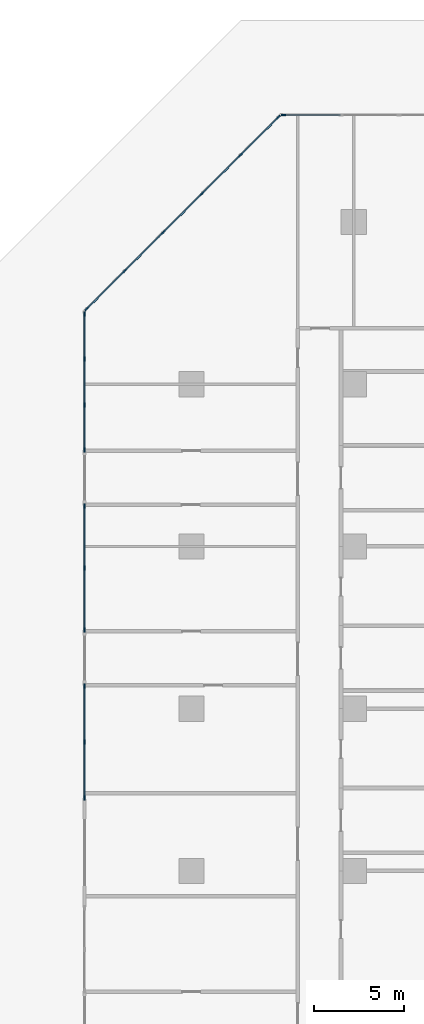
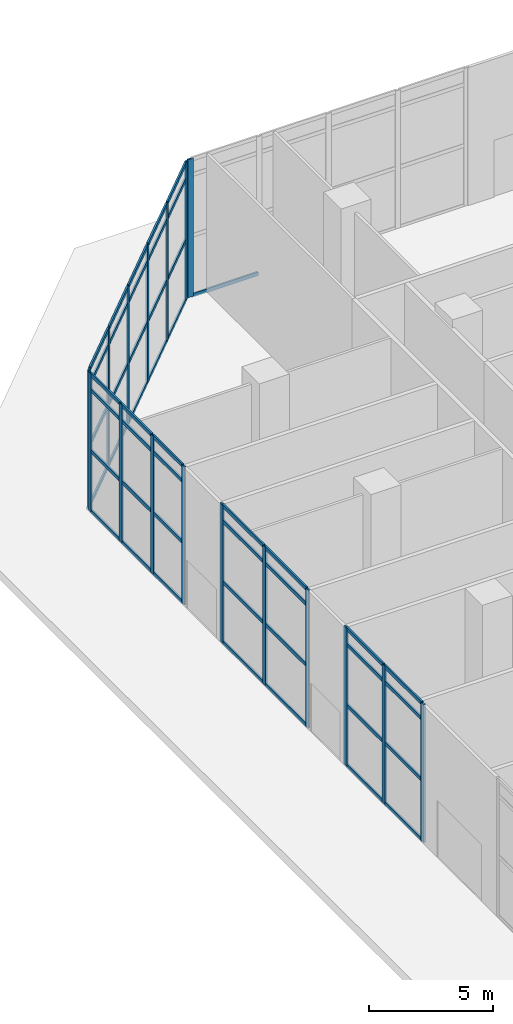
# One storey, part 8 of 34: 66 members, 5 elements without a shape of their own.
"""IFC4 building model written with IfcOpenShell, lengths in metres."""

from ifc_helpers import new_model, si_unit, direction, frame, origin, origin_2d, place, context, subcontext, project, spatial, rectangle, extrude, material, layer, layer_set, material_profile, profile_set, type_object, element, aggregate, save


model = new_model("IFC4")

# Units and contexts
model_context = context("Model", 3, precision=1e-05, world=origin(), true_north=direction((0.0, 1.0)))
body_context = subcontext(model_context, "Body", "Model", "MODEL_VIEW")
ifc_project = project(units=[si_unit("LENGTHUNIT", "METRE"), si_unit("AREAUNIT", "SQUARE_METRE"), si_unit("VOLUMEUNIT", "CUBIC_METRE"), si_unit("PLANEANGLEUNIT", "RADIAN"), si_unit("MASSUNIT", "GRAM", prefix="KILO")], contexts=[model_context])

# Site, building, storey
site_placement = place(None, origin())
site = spatial("IfcSite", under=ifc_project, at=site_placement, CompositionType="ELEMENT")
building_placement = place(site_placement, origin())
building = spatial("IfcBuilding", under=site, at=building_placement, Name="Chenar Terraces", CompositionType="ELEMENT")
storey_placement = place(building_placement, origin())
storey = spatial("IfcBuildingStorey", under=building, at=storey_placement, Name="L00", CompositionType="ELEMENT", Elevation=0.0)

# Curtain wall, member
ifc_material_1 = material(Name="Aluminium framed glazing", Category="aluminium")
ifc_layer = layer(ifc_material_1, 0.14990234375)
ifc_layer_set = layer_set([ifc_layer], Name="Aluminium framed glazing")
curtain_wall_type = type_object("IfcCurtainWallType", Name="Lobby curtain wall", PredefinedType="NOTDEFINED", material=ifc_layer_set)
placement = place(storey_placement, origin())
curtain_wall_1 = element("IfcCurtainWall", 1, at=placement, inside=storey, type_object=curtain_wall_type, Name="Lobby curtain wall", PredefinedType="NOTDEFINED")
ifc_material_2 = material(Name="Aluminium", Category="aluminium")
ifc_material_profile_1 = material_profile(ifc_material_2, rectangle(XDim=0.080078125, YDim=0.25, at=origin_2d()), Name="Lobby glazing mullion 80 x 250")
ifc_profile_set_1 = profile_set([ifc_material_profile_1], Name="Aluminium")
member_type_1 = type_object("IfcMemberType", Name="Lobby glazing mullion 80 x 250", PredefinedType="MULLION", material=ifc_profile_set_1)
member_1_placement = place(storey_placement, frame((-3.90185546875, 77.925048828125, 0.0), z_axis=(0.0, 0.0, 1.0), x_axis=(0.0, -1.0, 0.0)))
member_1 = element("IfcMember", 2, at=member_1_placement, type_object=member_type_1, Name="CW6-02b0 mullion 5", PredefinedType="MULLION", context=body_context, shape_type="SweptSolid", body=[
    extrude(rectangle(XDim=0.080078125, YDim=0.25, at=origin_2d()), origin(), (0.0, 0.0, 1.0), 6.800048828125),
])

# Curtain wall, members
curtain_wall_2 = element("IfcCurtainWall", 3, at=placement, inside=storey, type_object=curtain_wall_type, Name="Lobby curtain wall", PredefinedType="NOTDEFINED")
member_2_placement = place(storey_placement, frame((-4.173095703125, 77.8125, 0.0), z_axis=(0.0, 0.0, 1.0), x_axis=(0.707106781187, -0.707106781187, 0.0)))
member_2 = element("IfcMember", 4, at=member_2_placement, type_object=member_type_1, Name="CW6-030 mullion 1", PredefinedType="MULLION", context=body_context, shape_type="SweptSolid", body=[
    extrude(rectangle(XDim=0.080078125, YDim=0.25, at=origin_2d()), origin(), (0.0, 0.0, 1.0), 6.800048828125),
])
member_3_placement = place(storey_placement, frame((-6.2841796875, 75.70166015625, 0.0), z_axis=(0.0, 0.0, 1.0), x_axis=(0.707106781187, -0.707106781187, 0.0)))
member_3 = element("IfcMember", 5, at=member_3_placement, type_object=member_type_1, Name="CW6-030 mullion 2", PredefinedType="MULLION", context=body_context, shape_type="SweptSolid", body=[
    extrude(rectangle(XDim=0.080078125, YDim=0.25, at=origin_2d()), origin(), (0.0, 0.0, 1.0), 6.800048828125),
])
member_4_placement = place(storey_placement, frame((-8.42333984375, 73.5625, 0.0), z_axis=(0.0, 0.0, 1.0), x_axis=(0.707106781187, -0.707106781187, 0.0)))
member_4 = element("IfcMember", 6, at=member_4_placement, type_object=member_type_1, Name="CW6-030 mullion 3", PredefinedType="MULLION", context=body_context, shape_type="SweptSolid", body=[
    extrude(rectangle(XDim=0.080078125, YDim=0.25, at=origin_2d()), origin(), (0.0, 0.0, 1.0), 6.800048828125),
])
member_5_placement = place(storey_placement, frame((-10.5625, 71.42333984375, 0.0), z_axis=(0.0, 0.0, 1.0), x_axis=(0.707106781187, -0.707106781187, 0.0)))
member_5 = element("IfcMember", 7, at=member_5_placement, type_object=member_type_1, Name="CW6-030 mullion 4", PredefinedType="MULLION", context=body_context, shape_type="SweptSolid", body=[
    extrude(rectangle(XDim=0.080078125, YDim=0.25, at=origin_2d()), origin(), (0.0, 0.0, 1.0), 6.800048828125),
])
member_6_placement = place(storey_placement, frame((-12.70166015625, 69.2841796875, 0.0), z_axis=(0.0, 0.0, 1.0), x_axis=(0.707106781187, -0.707106781187, 0.0)))
member_6 = element("IfcMember", 8, at=member_6_placement, type_object=member_type_1, Name="CW6-030 mullion 5", PredefinedType="MULLION", context=body_context, shape_type="SweptSolid", body=[
    extrude(rectangle(XDim=0.080078125, YDim=0.25, at=origin_2d()), origin(), (0.0, 0.0, 1.0), 6.800048828125),
])
member_7_placement = place(storey_placement, frame((-14.8125, 67.173095703125, 0.0), z_axis=(0.0, 0.0, 1.0), x_axis=(0.707106781187, -0.707106781187, 0.0)))
member_7 = element("IfcMember", 9, at=member_7_placement, type_object=member_type_1, Name="CW6-030 mullion 6", PredefinedType="MULLION", context=body_context, shape_type="SweptSolid", body=[
    extrude(rectangle(XDim=0.080078125, YDim=0.25, at=origin_2d()), origin(), (0.0, 0.0, 1.0), 6.800048828125),
])

curtain_wall_3 = element("IfcCurtainWall", 10, at=placement, inside=storey, type_object=curtain_wall_type, Name="Lobby curtain wall", PredefinedType="NOTDEFINED")
member_8_placement = place(storey_placement, frame((-14.925048828125, 66.90185546875, 0.0), z_axis=(0.0, 0.0, 1.0), x_axis=(1.0, 0.0, 0.0)))
member_8 = element("IfcMember", 11, at=member_8_placement, type_object=member_type_1, Name="CW6-04p10 mullion 1", PredefinedType="MULLION", context=body_context, shape_type="SweptSolid", body=[
    extrude(rectangle(XDim=0.080078125, YDim=0.25, at=origin_2d()), origin(), (0.0, 0.0, 1.0), 6.800048828125),
])
member_9_placement = place(storey_placement, frame((-14.925048828125, 64.398681640625, 0.0), z_axis=(0.0, 0.0, 1.0), x_axis=(1.0, 0.0, 0.0)))
member_9 = element("IfcMember", 12, at=member_9_placement, type_object=member_type_1, Name="CW6-04p10 mullion 2", PredefinedType="MULLION", context=body_context, shape_type="SweptSolid", body=[
    extrude(rectangle(XDim=0.080078125, YDim=0.25, at=origin_2d()), origin(), (0.0, 0.0, 1.0), 6.800048828125),
])
member_10_placement = place(storey_placement, frame((-14.925048828125, 61.855712890625, 0.0), z_axis=(0.0, 0.0, 1.0), x_axis=(1.0, 0.0, 0.0)))
member_10 = element("IfcMember", 13, at=member_10_placement, type_object=member_type_1, Name="CW6-04p10 mullion 3", PredefinedType="MULLION", context=body_context, shape_type="SweptSolid", body=[
    extrude(rectangle(XDim=0.080078125, YDim=0.25, at=origin_2d()), origin(), (0.0, 0.0, 1.0), 6.800048828125),
])
member_11_placement = place(storey_placement, frame((-14.925048828125, 59.3525390625, 0.0), z_axis=(0.0, 0.0, 1.0), x_axis=(1.0, 0.0, 0.0)))
member_11 = element("IfcMember", 14, at=member_11_placement, type_object=member_type_1, Name="CW6-04p10 mullion 4", PredefinedType="MULLION", context=body_context, shape_type="SweptSolid", body=[
    extrude(rectangle(XDim=0.080078125, YDim=0.25, at=origin_2d()), origin(), (0.0, 0.0, 1.0), 6.800048828125),
])

curtain_wall_4 = element("IfcCurtainWall", 15, at=placement, inside=storey, type_object=curtain_wall_type, Name="Lobby curtain wall", PredefinedType="NOTDEFINED")
member_12_placement = place(storey_placement, frame((-14.925048828125, 56.24755859375, 0.0), z_axis=(0.0, 0.0, 1.0), x_axis=(1.0, 0.0, 0.0)))
member_12 = element("IfcMember", 16, at=member_12_placement, type_object=member_type_1, Name="CW6-04p20 mullion 1", PredefinedType="MULLION", context=body_context, shape_type="SweptSolid", body=[
    extrude(rectangle(XDim=0.080078125, YDim=0.25, at=origin_2d()), origin(), (0.0, 0.0, 1.0), 6.800048828125),
])
member_13_placement = place(storey_placement, frame((-14.925048828125, 52.800048828125, 0.0), z_axis=(0.0, 0.0, 1.0), x_axis=(1.0, 0.0, 0.0)))
member_13 = element("IfcMember", 17, at=member_13_placement, type_object=member_type_1, Name="CW6-04p20 mullion 2", PredefinedType="MULLION", context=body_context, shape_type="SweptSolid", body=[
    extrude(rectangle(XDim=0.080078125, YDim=0.25, at=origin_2d()), origin(), (0.0, 0.0, 1.0), 6.800048828125),
])
member_14_placement = place(storey_placement, frame((-14.925048828125, 49.3525390625, 0.0), z_axis=(0.0, 0.0, 1.0), x_axis=(1.0, 0.0, 0.0)))
member_14 = element("IfcMember", 18, at=member_14_placement, type_object=member_type_1, Name="CW6-04p20 mullion 3", PredefinedType="MULLION", context=body_context, shape_type="SweptSolid", body=[
    extrude(rectangle(XDim=0.080078125, YDim=0.25, at=origin_2d()), origin(), (0.0, 0.0, 1.0), 6.800048828125),
])

curtain_wall_5 = element("IfcCurtainWall", 19, at=placement, inside=storey, type_object=curtain_wall_type, Name="Lobby curtain wall", PredefinedType="NOTDEFINED")
member_15_placement = place(storey_placement, frame((-14.925048828125, 46.24755859375, 0.0), z_axis=(0.0, 0.0, 1.0), x_axis=(1.0, 0.0, 0.0)))
member_15 = element("IfcMember", 20, at=member_15_placement, type_object=member_type_1, Name="CW6-04p30 mullion 1", PredefinedType="MULLION", context=body_context, shape_type="SweptSolid", body=[
    extrude(rectangle(XDim=0.080078125, YDim=0.25, at=origin_2d()), origin(), (0.0, 0.0, 1.0), 6.800048828125),
])
member_16_placement = place(storey_placement, frame((-14.925048828125, 43.14990234375, 0.0), z_axis=(0.0, 0.0, 1.0), x_axis=(1.0, 0.0, 0.0)))
member_16 = element("IfcMember", 21, at=member_16_placement, type_object=member_type_1, Name="CW6-04p30 mullion 2", PredefinedType="MULLION", context=body_context, shape_type="SweptSolid", body=[
    extrude(rectangle(XDim=0.080078125, YDim=0.25, at=origin_2d()), origin(), (0.0, 0.0, 1.0), 6.800048828125),
])
member_17_placement = place(storey_placement, frame((-14.925048828125, 40.052490234375, 0.0), z_axis=(0.0, 0.0, 1.0), x_axis=(1.0, 0.0, 0.0)))
member_17 = element("IfcMember", 22, at=member_17_placement, type_object=member_type_1, Name="CW6-04p30 mullion 3", PredefinedType="MULLION", context=body_context, shape_type="SweptSolid", body=[
    extrude(rectangle(XDim=0.080078125, YDim=0.25, at=origin_2d()), origin(), (0.0, 0.0, 1.0), 6.800048828125),
])

# Member
ifc_material_3 = material(Name="Aluminium", Category="aluminium")
ifc_material_profile_2 = material_profile(ifc_material_3, rectangle(XDim=0.080078125, YDim=0.179931640625, at=origin_2d()), Name="Lobby glazing transom 80 x 180")
ifc_profile_set_2 = profile_set([ifc_material_profile_2], Name="Aluminium")
member_type_2 = type_object("IfcMemberType", Name="Lobby glazing transom 80 x 180", PredefinedType="USERDEFINED", material=ifc_profile_set_2)
member_18_placement = place(storey_placement, frame((-0.74951171875, 77.925048828125, 0.0400390625), z_axis=(-1.0, 0.0, 0.0), x_axis=(0.0, -1.0, 0.0)))
member_18 = element("IfcMember", 23, at=member_18_placement, type_object=member_type_2, Name="CW6-02b0 transom 4.1", ObjectType="TRANSOM", PredefinedType="USERDEFINED", context=body_context, shape_type="SweptSolid", body=[
    extrude(rectangle(XDim=0.080078125, YDim=0.179931640625, at=origin_2d()), origin(), (0.0, 0.0, 1.0), 3.1123046875),
])

aggregate(curtain_wall_1, [member_1, member_18])

member_19_placement = place(storey_placement, frame((-4.201416015625, 77.784423828125, 0.0400390625), z_axis=(-0.707106781187, -0.707106781187, 0.0), x_axis=(0.707106781187, -0.707106781187, 0.0)))
member_19 = element("IfcMember", 24, at=member_19_placement, type_object=member_type_2, Name="CW6-030 transom 1.1", ObjectType="TRANSOM", PredefinedType="USERDEFINED", context=body_context, shape_type="SweptSolid", body=[
    extrude(rectangle(XDim=0.080078125, YDim=0.179931640625, at=origin_2d()), origin(), (0.0, 0.0, 1.0), 2.905517578125),
])

member_20_placement = place(storey_placement, frame((-4.201416015625, 77.784423828125, 3.0), z_axis=(-0.707106781187, -0.707106781187, 0.0), x_axis=(0.707106781187, -0.707106781187, 0.0)))
member_20 = element("IfcMember", 25, at=member_20_placement, type_object=member_type_2, Name="CW6-030 transom 1.2", ObjectType="TRANSOM", PredefinedType="USERDEFINED", context=body_context, shape_type="SweptSolid", body=[
    extrude(rectangle(XDim=0.080078125, YDim=0.179931640625, at=origin_2d()), origin(), (0.0, 0.0, 1.0), 2.905517578125),
])

member_21_placement = place(storey_placement, frame((-4.201416015625, 77.784423828125, 6.0), z_axis=(-0.707106781187, -0.707106781187, 0.0), x_axis=(0.707106781187, -0.707106781187, 0.0)))
member_21 = element("IfcMember", 26, at=member_21_placement, type_object=member_type_2, Name="CW6-030 transom 1.3", ObjectType="TRANSOM", PredefinedType="USERDEFINED", context=body_context, shape_type="SweptSolid", body=[
    extrude(rectangle(XDim=0.080078125, YDim=0.179931640625, at=origin_2d()), origin(), (0.0, 0.0, 1.0), 2.905517578125),
])

member_22_placement = place(storey_placement, frame((-4.201416015625, 77.784423828125, 6.760009765625), z_axis=(-0.707106781187, -0.707106781187, 0.0), x_axis=(0.707106781187, -0.707106781187, 0.0)))
member_22 = element("IfcMember", 27, at=member_22_placement, type_object=member_type_2, Name="CW6-030 transom 1.4", ObjectType="TRANSOM", PredefinedType="USERDEFINED", context=body_context, shape_type="SweptSolid", body=[
    extrude(rectangle(XDim=0.080078125, YDim=0.179931640625, at=origin_2d()), origin(), (0.0, 0.0, 1.0), 2.905517578125),
])

member_23_placement = place(storey_placement, frame((-6.3125, 75.67333984375, 0.0400390625), z_axis=(-0.707106781187, -0.707106781187, 0.0), x_axis=(0.707106781187, -0.707106781187, 0.0)))
member_23 = element("IfcMember", 28, at=member_23_placement, type_object=member_type_2, Name="CW6-030 transom 2.1", ObjectType="TRANSOM", PredefinedType="USERDEFINED", context=body_context, shape_type="SweptSolid", body=[
    extrude(rectangle(XDim=0.080078125, YDim=0.179931640625, at=origin_2d()), origin(), (0.0, 0.0, 1.0), 2.945068359375),
])

member_24_placement = place(storey_placement, frame((-6.3125, 75.67333984375, 3.0), z_axis=(-0.707106781187, -0.707106781187, 0.0), x_axis=(0.707106781187, -0.707106781187, 0.0)))
member_24 = element("IfcMember", 29, at=member_24_placement, type_object=member_type_2, Name="CW6-030 transom 2.2", ObjectType="TRANSOM", PredefinedType="USERDEFINED", context=body_context, shape_type="SweptSolid", body=[
    extrude(rectangle(XDim=0.080078125, YDim=0.179931640625, at=origin_2d()), origin(), (0.0, 0.0, 1.0), 2.945068359375),
])

member_25_placement = place(storey_placement, frame((-6.3125, 75.67333984375, 6.0), z_axis=(-0.707106781187, -0.707106781187, 0.0), x_axis=(0.707106781187, -0.707106781187, 0.0)))
member_25 = element("IfcMember", 30, at=member_25_placement, type_object=member_type_2, Name="CW6-030 transom 2.3", ObjectType="TRANSOM", PredefinedType="USERDEFINED", context=body_context, shape_type="SweptSolid", body=[
    extrude(rectangle(XDim=0.080078125, YDim=0.179931640625, at=origin_2d()), origin(), (0.0, 0.0, 1.0), 2.945068359375),
])

member_26_placement = place(storey_placement, frame((-6.3125, 75.67333984375, 6.760009765625), z_axis=(-0.707106781187, -0.707106781187, 0.0), x_axis=(0.707106781187, -0.707106781187, 0.0)))
member_26 = element("IfcMember", 31, at=member_26_placement, type_object=member_type_2, Name="CW6-030 transom 2.4", ObjectType="TRANSOM", PredefinedType="USERDEFINED", context=body_context, shape_type="SweptSolid", body=[
    extrude(rectangle(XDim=0.080078125, YDim=0.179931640625, at=origin_2d()), origin(), (0.0, 0.0, 1.0), 2.945068359375),
])

member_27_placement = place(storey_placement, frame((-8.45166015625, 73.5341796875, 0.0400390625), z_axis=(-0.707106781187, -0.707106781187, 0.0), x_axis=(0.707106781187, -0.707106781187, 0.0)))
member_27 = element("IfcMember", 32, at=member_27_placement, type_object=member_type_2, Name="CW6-030 transom 3.1", ObjectType="TRANSOM", PredefinedType="USERDEFINED", context=body_context, shape_type="SweptSolid", body=[
    extrude(rectangle(XDim=0.080078125, YDim=0.179931640625, at=origin_2d()), origin(), (0.0, 0.0, 1.0), 2.945068359375),
])

member_28_placement = place(storey_placement, frame((-8.45166015625, 73.5341796875, 3.0), z_axis=(-0.707106781187, -0.707106781187, 0.0), x_axis=(0.707106781187, -0.707106781187, 0.0)))
member_28 = element("IfcMember", 33, at=member_28_placement, type_object=member_type_2, Name="CW6-030 transom 3.2", ObjectType="TRANSOM", PredefinedType="USERDEFINED", context=body_context, shape_type="SweptSolid", body=[
    extrude(rectangle(XDim=0.080078125, YDim=0.179931640625, at=origin_2d()), origin(), (0.0, 0.0, 1.0), 2.945068359375),
])

member_29_placement = place(storey_placement, frame((-8.45166015625, 73.5341796875, 6.0), z_axis=(-0.707106781187, -0.707106781187, 0.0), x_axis=(0.707106781187, -0.707106781187, 0.0)))
member_29 = element("IfcMember", 34, at=member_29_placement, type_object=member_type_2, Name="CW6-030 transom 3.3", ObjectType="TRANSOM", PredefinedType="USERDEFINED", context=body_context, shape_type="SweptSolid", body=[
    extrude(rectangle(XDim=0.080078125, YDim=0.179931640625, at=origin_2d()), origin(), (0.0, 0.0, 1.0), 2.945068359375),
])

member_30_placement = place(storey_placement, frame((-8.45166015625, 73.5341796875, 6.760009765625), z_axis=(-0.707106781187, -0.707106781187, 0.0), x_axis=(0.707106781187, -0.707106781187, 0.0)))
member_30 = element("IfcMember", 35, at=member_30_placement, type_object=member_type_2, Name="CW6-030 transom 3.4", ObjectType="TRANSOM", PredefinedType="USERDEFINED", context=body_context, shape_type="SweptSolid", body=[
    extrude(rectangle(XDim=0.080078125, YDim=0.179931640625, at=origin_2d()), origin(), (0.0, 0.0, 1.0), 2.945068359375),
])

member_31_placement = place(storey_placement, frame((-10.5908203125, 71.39501953125, 0.0400390625), z_axis=(-0.707106781187, -0.707106781187, 0.0), x_axis=(0.707106781187, -0.707106781187, 0.0)))
member_31 = element("IfcMember", 36, at=member_31_placement, type_object=member_type_2, Name="CW6-030 transom 4.1", ObjectType="TRANSOM", PredefinedType="USERDEFINED", context=body_context, shape_type="SweptSolid", body=[
    extrude(rectangle(XDim=0.080078125, YDim=0.179931640625, at=origin_2d()), origin(), (0.0, 0.0, 1.0), 2.945068359375),
])

member_32_placement = place(storey_placement, frame((-10.5908203125, 71.39501953125, 3.0), z_axis=(-0.707106781187, -0.707106781187, 0.0), x_axis=(0.707106781187, -0.707106781187, 0.0)))
member_32 = element("IfcMember", 37, at=member_32_placement, type_object=member_type_2, Name="CW6-030 transom 4.2", ObjectType="TRANSOM", PredefinedType="USERDEFINED", context=body_context, shape_type="SweptSolid", body=[
    extrude(rectangle(XDim=0.080078125, YDim=0.179931640625, at=origin_2d()), origin(), (0.0, 0.0, 1.0), 2.945068359375),
])

member_33_placement = place(storey_placement, frame((-10.5908203125, 71.39501953125, 6.0), z_axis=(-0.707106781187, -0.707106781187, 0.0), x_axis=(0.707106781187, -0.707106781187, 0.0)))
member_33 = element("IfcMember", 38, at=member_33_placement, type_object=member_type_2, Name="CW6-030 transom 4.3", ObjectType="TRANSOM", PredefinedType="USERDEFINED", context=body_context, shape_type="SweptSolid", body=[
    extrude(rectangle(XDim=0.080078125, YDim=0.179931640625, at=origin_2d()), origin(), (0.0, 0.0, 1.0), 2.945068359375),
])

member_34_placement = place(storey_placement, frame((-10.5908203125, 71.39501953125, 6.760009765625), z_axis=(-0.707106781187, -0.707106781187, 0.0), x_axis=(0.707106781187, -0.707106781187, 0.0)))
member_34 = element("IfcMember", 39, at=member_34_placement, type_object=member_type_2, Name="CW6-030 transom 4.4", ObjectType="TRANSOM", PredefinedType="USERDEFINED", context=body_context, shape_type="SweptSolid", body=[
    extrude(rectangle(XDim=0.080078125, YDim=0.179931640625, at=origin_2d()), origin(), (0.0, 0.0, 1.0), 2.945068359375),
])

member_35_placement = place(storey_placement, frame((-12.72998046875, 69.255859375, 0.0400390625), z_axis=(-0.707106781187, -0.707106781187, 0.0), x_axis=(0.707106781187, -0.707106781187, 0.0)))
member_35 = element("IfcMember", 40, at=member_35_placement, type_object=member_type_2, Name="CW6-030 transom 5.1", ObjectType="TRANSOM", PredefinedType="USERDEFINED", context=body_context, shape_type="SweptSolid", body=[
    extrude(rectangle(XDim=0.080078125, YDim=0.179931640625, at=origin_2d()), origin(), (0.0, 0.0, 1.0), 2.905517578125),
])

member_36_placement = place(storey_placement, frame((-12.72998046875, 69.255859375, 3.0), z_axis=(-0.707106781187, -0.707106781187, 0.0), x_axis=(0.707106781187, -0.707106781187, 0.0)))
member_36 = element("IfcMember", 41, at=member_36_placement, type_object=member_type_2, Name="CW6-030 transom 5.2", ObjectType="TRANSOM", PredefinedType="USERDEFINED", context=body_context, shape_type="SweptSolid", body=[
    extrude(rectangle(XDim=0.080078125, YDim=0.179931640625, at=origin_2d()), origin(), (0.0, 0.0, 1.0), 2.905517578125),
])

member_37_placement = place(storey_placement, frame((-12.72998046875, 69.255859375, 6.0), z_axis=(-0.707106781187, -0.707106781187, 0.0), x_axis=(0.707106781187, -0.707106781187, 0.0)))
member_37 = element("IfcMember", 42, at=member_37_placement, type_object=member_type_2, Name="CW6-030 transom 5.3", ObjectType="TRANSOM", PredefinedType="USERDEFINED", context=body_context, shape_type="SweptSolid", body=[
    extrude(rectangle(XDim=0.080078125, YDim=0.179931640625, at=origin_2d()), origin(), (0.0, 0.0, 1.0), 2.905517578125),
])

member_38_placement = place(storey_placement, frame((-12.72998046875, 69.255859375, 6.760009765625), z_axis=(-0.707106781187, -0.707106781187, 0.0), x_axis=(0.707106781187, -0.707106781187, 0.0)))
member_38 = element("IfcMember", 43, at=member_38_placement, type_object=member_type_2, Name="CW6-030 transom 5.4", ObjectType="TRANSOM", PredefinedType="USERDEFINED", context=body_context, shape_type="SweptSolid", body=[
    extrude(rectangle(XDim=0.080078125, YDim=0.179931640625, at=origin_2d()), origin(), (0.0, 0.0, 1.0), 2.905517578125),
])

aggregate(curtain_wall_2, [member_2, member_3, member_4, member_5, member_6, member_7, member_19, member_20, member_21, member_22, member_23, member_24, member_25, member_26, member_27, member_28, member_29, member_30, member_31, member_32, member_33, member_34, member_35, member_36, member_37, member_38])

member_39_placement = place(storey_placement, frame((-14.925048828125, 66.86181640625, 0.0400390625), z_axis=(0.0, -1.0, 0.0), x_axis=(1.0, 0.0, 0.0)))
member_39 = element("IfcMember", 44, at=member_39_placement, type_object=member_type_2, Name="CW6-04p10 transom 1.1", ObjectType="TRANSOM", PredefinedType="USERDEFINED", context=body_context, shape_type="SweptSolid", body=[
    extrude(rectangle(XDim=0.080078125, YDim=0.179931640625, at=origin_2d()), origin(), (0.0, 0.0, 1.0), 2.423095703125),
])

member_40_placement = place(storey_placement, frame((-14.925048828125, 66.86181640625, 3.0), z_axis=(0.0, -1.0, 0.0), x_axis=(1.0, 0.0, 0.0)))
member_40 = element("IfcMember", 45, at=member_40_placement, type_object=member_type_2, Name="CW6-04p10 transom 1.2", ObjectType="TRANSOM", PredefinedType="USERDEFINED", context=body_context, shape_type="SweptSolid", body=[
    extrude(rectangle(XDim=0.080078125, YDim=0.179931640625, at=origin_2d()), origin(), (0.0, 0.0, 1.0), 2.423095703125),
])

member_41_placement = place(storey_placement, frame((-14.925048828125, 66.86181640625, 6.0), z_axis=(0.0, -1.0, 0.0), x_axis=(1.0, 0.0, 0.0)))
member_41 = element("IfcMember", 46, at=member_41_placement, type_object=member_type_2, Name="CW6-04p10 transom 1.3", ObjectType="TRANSOM", PredefinedType="USERDEFINED", context=body_context, shape_type="SweptSolid", body=[
    extrude(rectangle(XDim=0.080078125, YDim=0.179931640625, at=origin_2d()), origin(), (0.0, 0.0, 1.0), 2.423095703125),
])

member_42_placement = place(storey_placement, frame((-14.925048828125, 66.86181640625, 6.760009765625), z_axis=(0.0, -1.0, 0.0), x_axis=(1.0, 0.0, 0.0)))
member_42 = element("IfcMember", 47, at=member_42_placement, type_object=member_type_2, Name="CW6-04p10 transom 1.4", ObjectType="TRANSOM", PredefinedType="USERDEFINED", context=body_context, shape_type="SweptSolid", body=[
    extrude(rectangle(XDim=0.080078125, YDim=0.179931640625, at=origin_2d()), origin(), (0.0, 0.0, 1.0), 2.423095703125),
])

member_43_placement = place(storey_placement, frame((-14.925048828125, 64.35888671875, 0.0400390625), z_axis=(0.0, -1.0, 0.0), x_axis=(1.0, 0.0, 0.0)))
member_43 = element("IfcMember", 48, at=member_43_placement, type_object=member_type_2, Name="CW6-04p10 transom 2.1", ObjectType="TRANSOM", PredefinedType="USERDEFINED", context=body_context, shape_type="SweptSolid", body=[
    extrude(rectangle(XDim=0.080078125, YDim=0.179931640625, at=origin_2d()), origin(), (0.0, 0.0, 1.0), 2.463134765625),
])

member_44_placement = place(storey_placement, frame((-14.925048828125, 64.35888671875, 3.0), z_axis=(0.0, -1.0, 0.0), x_axis=(1.0, 0.0, 0.0)))
member_44 = element("IfcMember", 49, at=member_44_placement, type_object=member_type_2, Name="CW6-04p10 transom 2.2", ObjectType="TRANSOM", PredefinedType="USERDEFINED", context=body_context, shape_type="SweptSolid", body=[
    extrude(rectangle(XDim=0.080078125, YDim=0.179931640625, at=origin_2d()), origin(), (0.0, 0.0, 1.0), 2.463134765625),
])

member_45_placement = place(storey_placement, frame((-14.925048828125, 64.35888671875, 6.0), z_axis=(0.0, -1.0, 0.0), x_axis=(1.0, 0.0, 0.0)))
member_45 = element("IfcMember", 50, at=member_45_placement, type_object=member_type_2, Name="CW6-04p10 transom 2.3", ObjectType="TRANSOM", PredefinedType="USERDEFINED", context=body_context, shape_type="SweptSolid", body=[
    extrude(rectangle(XDim=0.080078125, YDim=0.179931640625, at=origin_2d()), origin(), (0.0, 0.0, 1.0), 2.463134765625),
])

member_46_placement = place(storey_placement, frame((-14.925048828125, 64.35888671875, 6.760009765625), z_axis=(0.0, -1.0, 0.0), x_axis=(1.0, 0.0, 0.0)))
member_46 = element("IfcMember", 51, at=member_46_placement, type_object=member_type_2, Name="CW6-04p10 transom 2.4", ObjectType="TRANSOM", PredefinedType="USERDEFINED", context=body_context, shape_type="SweptSolid", body=[
    extrude(rectangle(XDim=0.080078125, YDim=0.179931640625, at=origin_2d()), origin(), (0.0, 0.0, 1.0), 2.463134765625),
])

member_47_placement = place(storey_placement, frame((-14.925048828125, 61.815673828125, 0.0400390625), z_axis=(0.0, -1.0, 0.0), x_axis=(1.0, 0.0, 0.0)))
member_47 = element("IfcMember", 52, at=member_47_placement, type_object=member_type_2, Name="CW6-04p10 transom 3.1", ObjectType="TRANSOM", PredefinedType="USERDEFINED", context=body_context, shape_type="SweptSolid", body=[
    extrude(rectangle(XDim=0.080078125, YDim=0.179931640625, at=origin_2d()), origin(), (0.0, 0.0, 1.0), 2.423095703125),
])

member_48_placement = place(storey_placement, frame((-14.925048828125, 61.815673828125, 3.0), z_axis=(0.0, -1.0, 0.0), x_axis=(1.0, 0.0, 0.0)))
member_48 = element("IfcMember", 53, at=member_48_placement, type_object=member_type_2, Name="CW6-04p10 transom 3.2", ObjectType="TRANSOM", PredefinedType="USERDEFINED", context=body_context, shape_type="SweptSolid", body=[
    extrude(rectangle(XDim=0.080078125, YDim=0.179931640625, at=origin_2d()), origin(), (0.0, 0.0, 1.0), 2.423095703125),
])

member_49_placement = place(storey_placement, frame((-14.925048828125, 61.815673828125, 6.0), z_axis=(0.0, -1.0, 0.0), x_axis=(1.0, 0.0, 0.0)))
member_49 = element("IfcMember", 54, at=member_49_placement, type_object=member_type_2, Name="CW6-04p10 transom 3.3", ObjectType="TRANSOM", PredefinedType="USERDEFINED", context=body_context, shape_type="SweptSolid", body=[
    extrude(rectangle(XDim=0.080078125, YDim=0.179931640625, at=origin_2d()), origin(), (0.0, 0.0, 1.0), 2.423095703125),
])

member_50_placement = place(storey_placement, frame((-14.925048828125, 61.815673828125, 6.760009765625), z_axis=(0.0, -1.0, 0.0), x_axis=(1.0, 0.0, 0.0)))
member_50 = element("IfcMember", 55, at=member_50_placement, type_object=member_type_2, Name="CW6-04p10 transom 3.4", ObjectType="TRANSOM", PredefinedType="USERDEFINED", context=body_context, shape_type="SweptSolid", body=[
    extrude(rectangle(XDim=0.080078125, YDim=0.179931640625, at=origin_2d()), origin(), (0.0, 0.0, 1.0), 2.423095703125),
])

aggregate(curtain_wall_3, [member_8, member_9, member_10, member_11, member_39, member_40, member_41, member_42, member_43, member_44, member_45, member_46, member_47, member_48, member_49, member_50])

member_51_placement = place(storey_placement, frame((-14.925048828125, 56.20751953125, 0.0400390625), z_axis=(0.0, -1.0, 0.0), x_axis=(1.0, 0.0, 0.0)))
member_51 = element("IfcMember", 56, at=member_51_placement, type_object=member_type_2, Name="CW6-04p20 transom 1.1", ObjectType="TRANSOM", PredefinedType="USERDEFINED", context=body_context, shape_type="SweptSolid", body=[
    extrude(rectangle(XDim=0.080078125, YDim=0.179931640625, at=origin_2d()), origin(), (0.0, 0.0, 1.0), 3.367431640625),
])

member_52_placement = place(storey_placement, frame((-14.925048828125, 56.20751953125, 3.0), z_axis=(0.0, -1.0, 0.0), x_axis=(1.0, 0.0, 0.0)))
member_52 = element("IfcMember", 57, at=member_52_placement, type_object=member_type_2, Name="CW6-04p20 transom 1.2", ObjectType="TRANSOM", PredefinedType="USERDEFINED", context=body_context, shape_type="SweptSolid", body=[
    extrude(rectangle(XDim=0.080078125, YDim=0.179931640625, at=origin_2d()), origin(), (0.0, 0.0, 1.0), 3.367431640625),
])

member_53_placement = place(storey_placement, frame((-14.925048828125, 56.20751953125, 6.0), z_axis=(0.0, -1.0, 0.0), x_axis=(1.0, 0.0, 0.0)))
member_53 = element("IfcMember", 58, at=member_53_placement, type_object=member_type_2, Name="CW6-04p20 transom 1.3", ObjectType="TRANSOM", PredefinedType="USERDEFINED", context=body_context, shape_type="SweptSolid", body=[
    extrude(rectangle(XDim=0.080078125, YDim=0.179931640625, at=origin_2d()), origin(), (0.0, 0.0, 1.0), 3.367431640625),
])

member_54_placement = place(storey_placement, frame((-14.925048828125, 56.20751953125, 6.760009765625), z_axis=(0.0, -1.0, 0.0), x_axis=(1.0, 0.0, 0.0)))
member_54 = element("IfcMember", 59, at=member_54_placement, type_object=member_type_2, Name="CW6-04p20 transom 1.4", ObjectType="TRANSOM", PredefinedType="USERDEFINED", context=body_context, shape_type="SweptSolid", body=[
    extrude(rectangle(XDim=0.080078125, YDim=0.179931640625, at=origin_2d()), origin(), (0.0, 0.0, 1.0), 3.367431640625),
])

member_55_placement = place(storey_placement, frame((-14.925048828125, 52.760009765625, 0.0400390625), z_axis=(0.0, -1.0, 0.0), x_axis=(1.0, 0.0, 0.0)))
member_55 = element("IfcMember", 60, at=member_55_placement, type_object=member_type_2, Name="CW6-04p20 transom 2.1", ObjectType="TRANSOM", PredefinedType="USERDEFINED", context=body_context, shape_type="SweptSolid", body=[
    extrude(rectangle(XDim=0.080078125, YDim=0.179931640625, at=origin_2d()), origin(), (0.0, 0.0, 1.0), 3.367431640625),
])

member_56_placement = place(storey_placement, frame((-14.925048828125, 52.760009765625, 3.0), z_axis=(0.0, -1.0, 0.0), x_axis=(1.0, 0.0, 0.0)))
member_56 = element("IfcMember", 61, at=member_56_placement, type_object=member_type_2, Name="CW6-04p20 transom 2.2", ObjectType="TRANSOM", PredefinedType="USERDEFINED", context=body_context, shape_type="SweptSolid", body=[
    extrude(rectangle(XDim=0.080078125, YDim=0.179931640625, at=origin_2d()), origin(), (0.0, 0.0, 1.0), 3.367431640625),
])

member_57_placement = place(storey_placement, frame((-14.925048828125, 52.760009765625, 6.0), z_axis=(0.0, -1.0, 0.0), x_axis=(1.0, 0.0, 0.0)))
member_57 = element("IfcMember", 62, at=member_57_placement, type_object=member_type_2, Name="CW6-04p20 transom 2.3", ObjectType="TRANSOM", PredefinedType="USERDEFINED", context=body_context, shape_type="SweptSolid", body=[
    extrude(rectangle(XDim=0.080078125, YDim=0.179931640625, at=origin_2d()), origin(), (0.0, 0.0, 1.0), 3.367431640625),
])

member_58_placement = place(storey_placement, frame((-14.925048828125, 52.760009765625, 6.760009765625), z_axis=(0.0, -1.0, 0.0), x_axis=(1.0, 0.0, 0.0)))
member_58 = element("IfcMember", 63, at=member_58_placement, type_object=member_type_2, Name="CW6-04p20 transom 2.4", ObjectType="TRANSOM", PredefinedType="USERDEFINED", context=body_context, shape_type="SweptSolid", body=[
    extrude(rectangle(XDim=0.080078125, YDim=0.179931640625, at=origin_2d()), origin(), (0.0, 0.0, 1.0), 3.367431640625),
])

aggregate(curtain_wall_4, [member_12, member_13, member_14, member_51, member_52, member_53, member_54, member_55, member_56, member_57, member_58])

member_59_placement = place(storey_placement, frame((-14.925048828125, 46.20751953125, 0.0400390625), z_axis=(0.0, -1.0, 0.0), x_axis=(1.0, 0.0, 0.0)))
member_59 = element("IfcMember", 64, at=member_59_placement, type_object=member_type_2, Name="CW6-04p30 transom 1.1", ObjectType="TRANSOM", PredefinedType="USERDEFINED", context=body_context, shape_type="SweptSolid", body=[
    extrude(rectangle(XDim=0.080078125, YDim=0.179931640625, at=origin_2d()), origin(), (0.0, 0.0, 1.0), 3.017578125),
])

member_60_placement = place(storey_placement, frame((-14.925048828125, 46.20751953125, 3.0), z_axis=(0.0, -1.0, 0.0), x_axis=(1.0, 0.0, 0.0)))
member_60 = element("IfcMember", 65, at=member_60_placement, type_object=member_type_2, Name="CW6-04p30 transom 1.2", ObjectType="TRANSOM", PredefinedType="USERDEFINED", context=body_context, shape_type="SweptSolid", body=[
    extrude(rectangle(XDim=0.080078125, YDim=0.179931640625, at=origin_2d()), origin(), (0.0, 0.0, 1.0), 3.017578125),
])

member_61_placement = place(storey_placement, frame((-14.925048828125, 46.20751953125, 6.0), z_axis=(0.0, -1.0, 0.0), x_axis=(1.0, 0.0, 0.0)))
member_61 = element("IfcMember", 66, at=member_61_placement, type_object=member_type_2, Name="CW6-04p30 transom 1.3", ObjectType="TRANSOM", PredefinedType="USERDEFINED", context=body_context, shape_type="SweptSolid", body=[
    extrude(rectangle(XDim=0.080078125, YDim=0.179931640625, at=origin_2d()), origin(), (0.0, 0.0, 1.0), 3.017578125),
])

member_62_placement = place(storey_placement, frame((-14.925048828125, 46.20751953125, 6.760009765625), z_axis=(0.0, -1.0, 0.0), x_axis=(1.0, 0.0, 0.0)))
member_62 = element("IfcMember", 67, at=member_62_placement, type_object=member_type_2, Name="CW6-04p30 transom 1.4", ObjectType="TRANSOM", PredefinedType="USERDEFINED", context=body_context, shape_type="SweptSolid", body=[
    extrude(rectangle(XDim=0.080078125, YDim=0.179931640625, at=origin_2d()), origin(), (0.0, 0.0, 1.0), 3.017578125),
])

member_63_placement = place(storey_placement, frame((-14.925048828125, 43.110107421875, 0.0400390625), z_axis=(0.0, -1.0, 0.0), x_axis=(1.0, 0.0, 0.0)))
member_63 = element("IfcMember", 68, at=member_63_placement, type_object=member_type_2, Name="CW6-04p30 transom 2.1", ObjectType="TRANSOM", PredefinedType="USERDEFINED", context=body_context, shape_type="SweptSolid", body=[
    extrude(rectangle(XDim=0.080078125, YDim=0.179931640625, at=origin_2d()), origin(), (0.0, 0.0, 1.0), 3.017578125),
])

member_64_placement = place(storey_placement, frame((-14.925048828125, 43.110107421875, 3.0), z_axis=(0.0, -1.0, 0.0), x_axis=(1.0, 0.0, 0.0)))
member_64 = element("IfcMember", 69, at=member_64_placement, type_object=member_type_2, Name="CW6-04p30 transom 2.2", ObjectType="TRANSOM", PredefinedType="USERDEFINED", context=body_context, shape_type="SweptSolid", body=[
    extrude(rectangle(XDim=0.080078125, YDim=0.179931640625, at=origin_2d()), origin(), (0.0, 0.0, 1.0), 3.017578125),
])

member_65_placement = place(storey_placement, frame((-14.925048828125, 43.110107421875, 6.0), z_axis=(0.0, -1.0, 0.0), x_axis=(1.0, 0.0, 0.0)))
member_65 = element("IfcMember", 70, at=member_65_placement, type_object=member_type_2, Name="CW6-04p30 transom 2.3", ObjectType="TRANSOM", PredefinedType="USERDEFINED", context=body_context, shape_type="SweptSolid", body=[
    extrude(rectangle(XDim=0.080078125, YDim=0.179931640625, at=origin_2d()), origin(), (0.0, 0.0, 1.0), 3.017578125),
])

member_66_placement = place(storey_placement, frame((-14.925048828125, 43.110107421875, 6.760009765625), z_axis=(0.0, -1.0, 0.0), x_axis=(1.0, 0.0, 0.0)))
member_66 = element("IfcMember", 71, at=member_66_placement, type_object=member_type_2, Name="CW6-04p30 transom 2.4", ObjectType="TRANSOM", PredefinedType="USERDEFINED", context=body_context, shape_type="SweptSolid", body=[
    extrude(rectangle(XDim=0.080078125, YDim=0.179931640625, at=origin_2d()), origin(), (0.0, 0.0, 1.0), 3.017578125),
])

aggregate(curtain_wall_5, [member_15, member_16, member_17, member_59, member_60, member_61, member_62, member_63, member_64, member_65, member_66])

save(model, "model.ifc")
